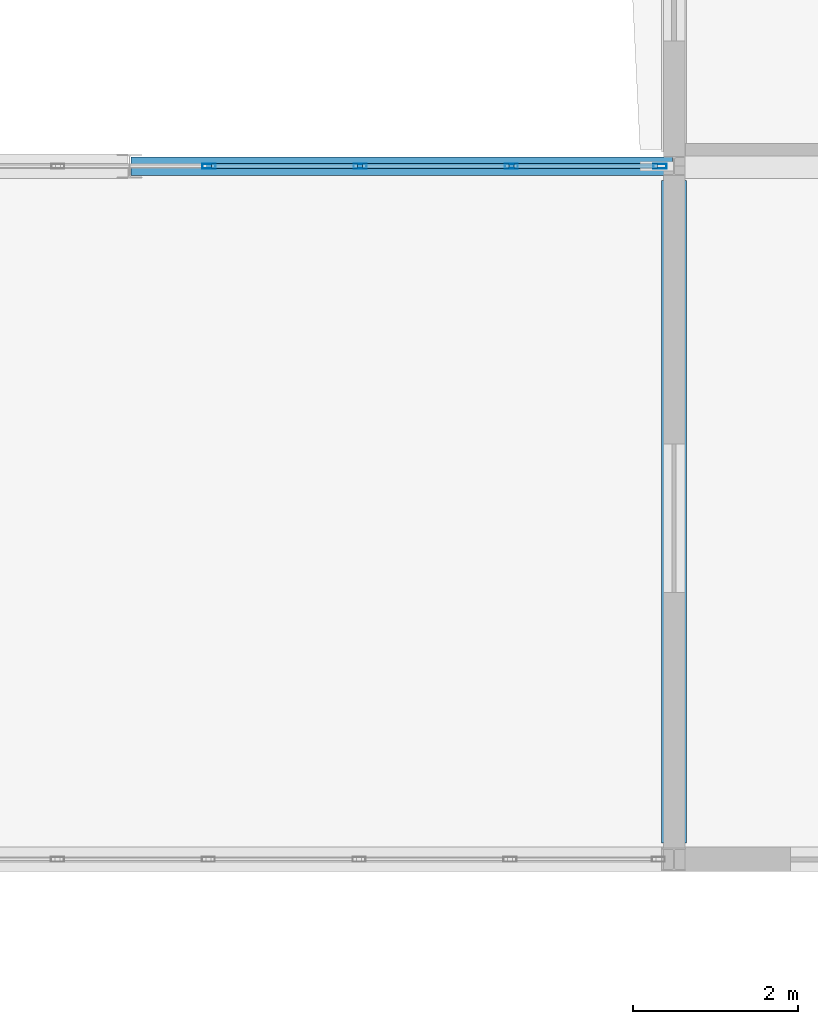
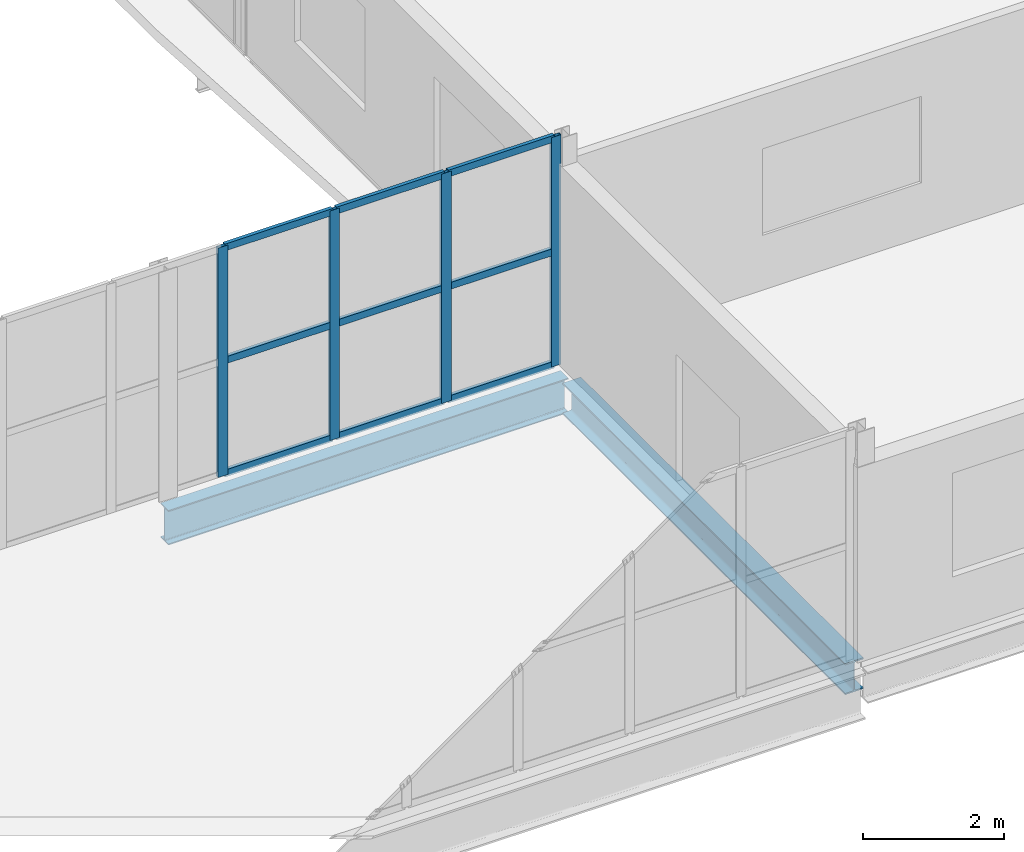
# One storey, part 68 of 138: 13 members, 2 beams, 1 element without a shape of its own.
"""IFC4 building model written with IfcOpenShell, lengths in metres."""

from ifc_helpers import new_model, si_unit, direction, frame, origin, origin_2d, place, context, subcontext, project, spatial, hollow_rectangle, i_section, extrude, material, layer, layer_set, material_profile, profile_set, type_object, element, aggregate, save


model = new_model("IFC4")

# Units and contexts
model_context = context("Model", 3, precision=1e-05, world=origin(), true_north=direction((0.0, 1.0)))
body_context = subcontext(model_context, "Body", "Model", "MODEL_VIEW")
ifc_project = project(units=[si_unit("LENGTHUNIT", "METRE"), si_unit("AREAUNIT", "SQUARE_METRE"), si_unit("VOLUMEUNIT", "CUBIC_METRE"), si_unit("PLANEANGLEUNIT", "RADIAN"), si_unit("MASSUNIT", "GRAM", prefix="KILO")], contexts=[model_context])

# Site, building, storey
site_placement = place(None, origin())
site = spatial("IfcSite", under=ifc_project, at=site_placement, CompositionType="ELEMENT")
building_placement = place(site_placement, origin())
building = spatial("IfcBuilding", under=site, at=building_placement, Name="Vinh Khe Railworks Police Headquarters", CompositionType="ELEMENT")
storey_placement = place(building_placement, frame((0.0, 0.0, 9.0)))
storey = spatial("IfcBuildingStorey", under=building, at=storey_placement, Name="L02", CompositionType="ELEMENT", Elevation=9.0)

# Curtain wall, members
ifc_material_1 = material(Name="Anodised aluminium and solar-control glass", Category="aluminium")
ifc_layer = layer(ifc_material_1, 0.159912109375)
ifc_layer_set = layer_set([ifc_layer], Name="Anodised aluminium and solar-control glass")
curtain_wall_type = type_object("IfcCurtainWallType", Name="CW-SHOPFRONT", PredefinedType="USERDEFINED", material=ifc_layer_set)
curtain_wall_placement = place(storey_placement, origin())
curtain_wall = element("IfcCurtainWall", 1, at=curtain_wall_placement, inside=storey, type_object=curtain_wall_type, Name="Link Bridge North Glazing L02 Bay 6", ObjectType="UNITISED GLAZING", PredefinedType="USERDEFINED")
ifc_material_2 = material(Name="Anodised aluminium 6063-T6", Category="aluminium")
ifc_material_profile_1 = material_profile(ifc_material_2, hollow_rectangle(XDim=0.06005859375, YDim=0.159912109375, WallThickness=0.00390625, at=origin_2d()), Name="CW-M 60x160x4")
ifc_profile_set_1 = profile_set([ifc_material_profile_1], Name="Anodised aluminium 6063-T6")
member_type_1 = type_object("IfcMemberType", Name="MULL-CWM-01", PredefinedType="MULLION", material=ifc_profile_set_1)
member_1_placement = place(storey_placement, frame((72.364013671875, 104.39990234375, 0.0), z_axis=(0.0, 0.0, 1.0), x_axis=(0.0, 1.0, 0.0)))
member_1 = element("IfcMember", 2, at=member_1_placement, type_object=member_type_1, Name="CW-03 mullion 3", PredefinedType="MULLION", context=body_context, shape_type="SweptSolid", body=[
    extrude(hollow_rectangle(XDim=0.06005859375, YDim=0.159912109375, WallThickness=0.00390625, at=origin_2d()), origin(), (0.0, 0.0, 1.0), 3.97998046875),
])
member_2_placement = place(storey_placement, frame((74.196044921875, 104.39990234375, 0.0), z_axis=(0.0, 0.0, 1.0), x_axis=(0.0, 1.0, 0.0)))
member_2 = element("IfcMember", 3, at=member_2_placement, type_object=member_type_1, Name="CW-03 mullion 4", PredefinedType="MULLION", context=body_context, shape_type="SweptSolid", body=[
    extrude(hollow_rectangle(XDim=0.06005859375, YDim=0.159912109375, WallThickness=0.00390625, at=origin_2d()), origin(), (0.0, 0.0, 1.0), 3.97998046875),
])
member_3_placement = place(storey_placement, frame((76.028076171875, 104.39990234375, 0.0), z_axis=(0.0, 0.0, 1.0), x_axis=(0.0, 1.0, 0.0)))
member_3 = element("IfcMember", 4, at=member_3_placement, type_object=member_type_1, Name="CW-03 mullion 5", PredefinedType="MULLION", context=body_context, shape_type="SweptSolid", body=[
    extrude(hollow_rectangle(XDim=0.06005859375, YDim=0.159912109375, WallThickness=0.00390625, at=origin_2d()), origin(), (0.0, 0.0, 1.0), 3.97998046875),
])
member_4_placement = place(storey_placement, frame((77.830078125, 104.39990234375, 0.0), z_axis=(0.0, 0.0, 1.0), x_axis=(0.0, 1.0, 0.0)))
member_4 = element("IfcMember", 5, at=member_4_placement, type_object=member_type_1, Name="CW-03 mullion 6", PredefinedType="MULLION", context=body_context, shape_type="SweptSolid", body=[
    extrude(hollow_rectangle(XDim=0.06005859375, YDim=0.159912109375, WallThickness=0.00390625, at=origin_2d()), origin(), (0.0, 0.0, 1.0), 3.97998046875),
])

# Beams
ifc_material_3 = material(Name="Steel S355JR", Category="steel")
ifc_material_profile_2 = material_profile(ifc_material_3, i_section(OverallWidth=0.300048828125, OverallDepth=0.5400390625, WebThickness=0.012451171875, FlangeThickness=0.02392578125, FilletRadius=0.027099609375, at=origin_2d()), Name="HEA 550")
ifc_profile_set_2 = profile_set([ifc_material_profile_2], Name="Steel S355JR")
beam_type_1 = type_object("IfcBeamType", Name="Steel Girder HEA 550", PredefinedType="BEAM", material=ifc_profile_set_2)
beam_1_placement = place(storey_placement, frame((78.0, 96.199951171875, -0.489990234375), z_axis=(0.0, 1.0, 0.0), x_axis=(-1.0, 0.0, 0.0)))
element("IfcBeam", 6, at=beam_1_placement, inside=storey, type_object=beam_type_1, Name="Girder BM-L02-NS-SB-11-0974", PredefinedType="BEAM", context=body_context, shape_type="SweptSolid", body=[
    extrude(i_section(OverallWidth=0.300048828125, OverallDepth=0.5400390625, WebThickness=0.012451171875, FlangeThickness=0.02392578125, FilletRadius=0.027099609375, at=origin_2d()), origin(), (0.0, 0.0, 1.0), 8.025146484375),
])
ifc_material_profile_3 = material_profile(ifc_material_3, i_section(OverallWidth=0.219970703125, OverallDepth=0.60009765625, WebThickness=0.011962890625, FlangeThickness=0.01904296875, FilletRadius=0.02392578125, at=origin_2d()), Name="IPE 600")
ifc_profile_set_3 = profile_set([ifc_material_profile_3], Name="Steel S355JR")
beam_type_2 = type_object("IfcBeamType", Name="Steel Girder IPE 600", PredefinedType="BEAM", material=ifc_profile_set_3)
beam_2_placement = place(storey_placement, frame((71.419921875, 104.39990234375, -0.52001953125), z_axis=(1.0, 0.0, 0.0), x_axis=(0.0, 1.0, 0.0)))
element("IfcBeam", 7, at=beam_2_placement, inside=storey, type_object=beam_type_2, Name="Girder BM-L02-EW-SB-17-0825", PredefinedType="BEAM", context=body_context, shape_type="SweptSolid", body=[
    extrude(i_section(OverallWidth=0.219970703125, OverallDepth=0.60009765625, WebThickness=0.011962890625, FlangeThickness=0.01904296875, FilletRadius=0.02392578125, at=origin_2d()), origin(), (0.0, 0.0, 1.0), 6.56005859375),
])

# Member
ifc_material_profile_4 = material_profile(ifc_material_2, hollow_rectangle(XDim=0.06005859375, YDim=0.1201171875, WallThickness=0.00390625, at=origin_2d()), Name="CW-T 60x120x4")
ifc_profile_set_4 = profile_set([ifc_material_profile_4], Name="Anodised aluminium 6063-T6")
member_type_2 = type_object("IfcMemberType", Name="TRAN-CWT-01", PredefinedType="USERDEFINED", material=ifc_profile_set_4)
member_5_placement = place(storey_placement, frame((72.39404296875, 104.39990234375, 0.030029296875), z_axis=(1.0, 0.0, 0.0), x_axis=(0.0, 1.0, 0.0)))
member_5 = element("IfcMember", 8, at=member_5_placement, type_object=member_type_2, Name="CW-03 transom 3.1", ObjectType="TRANSOM", PredefinedType="USERDEFINED", context=body_context, shape_type="SweptSolid", body=[
    extrude(hollow_rectangle(XDim=0.06005859375, YDim=0.1201171875, WallThickness=0.00390625, at=origin_2d()), origin(), (0.0, 0.0, 1.0), 1.77197265625),
])

member_6_placement = place(storey_placement, frame((72.39404296875, 104.39990234375, 1.989990234375), z_axis=(1.0, 0.0, 0.0), x_axis=(0.0, 1.0, 0.0)))
member_6 = element("IfcMember", 9, at=member_6_placement, type_object=member_type_2, Name="CW-03 transom 3.2", ObjectType="TRANSOM", PredefinedType="USERDEFINED", context=body_context, shape_type="SweptSolid", body=[
    extrude(hollow_rectangle(XDim=0.06005859375, YDim=0.1201171875, WallThickness=0.00390625, at=origin_2d()), origin(), (0.0, 0.0, 1.0), 1.77197265625),
])

member_7_placement = place(storey_placement, frame((72.39404296875, 104.39990234375, 3.949951171875), z_axis=(1.0, 0.0, 0.0), x_axis=(0.0, 1.0, 0.0)))
member_7 = element("IfcMember", 10, at=member_7_placement, type_object=member_type_2, Name="CW-03 transom 3.3", ObjectType="TRANSOM", PredefinedType="USERDEFINED", context=body_context, shape_type="SweptSolid", body=[
    extrude(hollow_rectangle(XDim=0.06005859375, YDim=0.1201171875, WallThickness=0.00390625, at=origin_2d()), origin(), (0.0, 0.0, 1.0), 1.77197265625),
])

member_8_placement = place(storey_placement, frame((74.22607421875, 104.39990234375, 0.030029296875), z_axis=(1.0, 0.0, 0.0), x_axis=(0.0, 1.0, 0.0)))
member_8 = element("IfcMember", 11, at=member_8_placement, type_object=member_type_2, Name="CW-03 transom 4.1", ObjectType="TRANSOM", PredefinedType="USERDEFINED", context=body_context, shape_type="SweptSolid", body=[
    extrude(hollow_rectangle(XDim=0.06005859375, YDim=0.1201171875, WallThickness=0.00390625, at=origin_2d()), origin(), (0.0, 0.0, 1.0), 1.77197265625),
])

member_9_placement = place(storey_placement, frame((74.22607421875, 104.39990234375, 1.989990234375), z_axis=(1.0, 0.0, 0.0), x_axis=(0.0, 1.0, 0.0)))
member_9 = element("IfcMember", 12, at=member_9_placement, type_object=member_type_2, Name="CW-03 transom 4.2", ObjectType="TRANSOM", PredefinedType="USERDEFINED", context=body_context, shape_type="SweptSolid", body=[
    extrude(hollow_rectangle(XDim=0.06005859375, YDim=0.1201171875, WallThickness=0.00390625, at=origin_2d()), origin(), (0.0, 0.0, 1.0), 1.77197265625),
])

member_10_placement = place(storey_placement, frame((74.22607421875, 104.39990234375, 3.949951171875), z_axis=(1.0, 0.0, 0.0), x_axis=(0.0, 1.0, 0.0)))
member_10 = element("IfcMember", 13, at=member_10_placement, type_object=member_type_2, Name="CW-03 transom 4.3", ObjectType="TRANSOM", PredefinedType="USERDEFINED", context=body_context, shape_type="SweptSolid", body=[
    extrude(hollow_rectangle(XDim=0.06005859375, YDim=0.1201171875, WallThickness=0.00390625, at=origin_2d()), origin(), (0.0, 0.0, 1.0), 1.77197265625),
])

member_11_placement = place(storey_placement, frame((76.05810546875, 104.39990234375, 0.030029296875), z_axis=(1.0, 0.0, 0.0), x_axis=(0.0, 1.0, 0.0)))
member_11 = element("IfcMember", 14, at=member_11_placement, type_object=member_type_2, Name="CW-03 transom 5.1", ObjectType="TRANSOM", PredefinedType="USERDEFINED", context=body_context, shape_type="SweptSolid", body=[
    extrude(hollow_rectangle(XDim=0.06005859375, YDim=0.1201171875, WallThickness=0.00390625, at=origin_2d()), origin(), (0.0, 0.0, 1.0), 1.741943359375),
])

member_12_placement = place(storey_placement, frame((76.05810546875, 104.39990234375, 1.989990234375), z_axis=(1.0, 0.0, 0.0), x_axis=(0.0, 1.0, 0.0)))
member_12 = element("IfcMember", 15, at=member_12_placement, type_object=member_type_2, Name="CW-03 transom 5.2", ObjectType="TRANSOM", PredefinedType="USERDEFINED", context=body_context, shape_type="SweptSolid", body=[
    extrude(hollow_rectangle(XDim=0.06005859375, YDim=0.1201171875, WallThickness=0.00390625, at=origin_2d()), origin(), (0.0, 0.0, 1.0), 1.741943359375),
])

member_13_placement = place(storey_placement, frame((76.05810546875, 104.39990234375, 3.949951171875), z_axis=(1.0, 0.0, 0.0), x_axis=(0.0, 1.0, 0.0)))
member_13 = element("IfcMember", 16, at=member_13_placement, type_object=member_type_2, Name="CW-03 transom 5.3", ObjectType="TRANSOM", PredefinedType="USERDEFINED", context=body_context, shape_type="SweptSolid", body=[
    extrude(hollow_rectangle(XDim=0.06005859375, YDim=0.1201171875, WallThickness=0.00390625, at=origin_2d()), origin(), (0.0, 0.0, 1.0), 1.741943359375),
])

aggregate(curtain_wall, [member_1, member_2, member_3, member_4, member_5, member_6, member_7, member_8, member_9, member_10, member_11, member_12, member_13])

save(model, "model.ifc")
